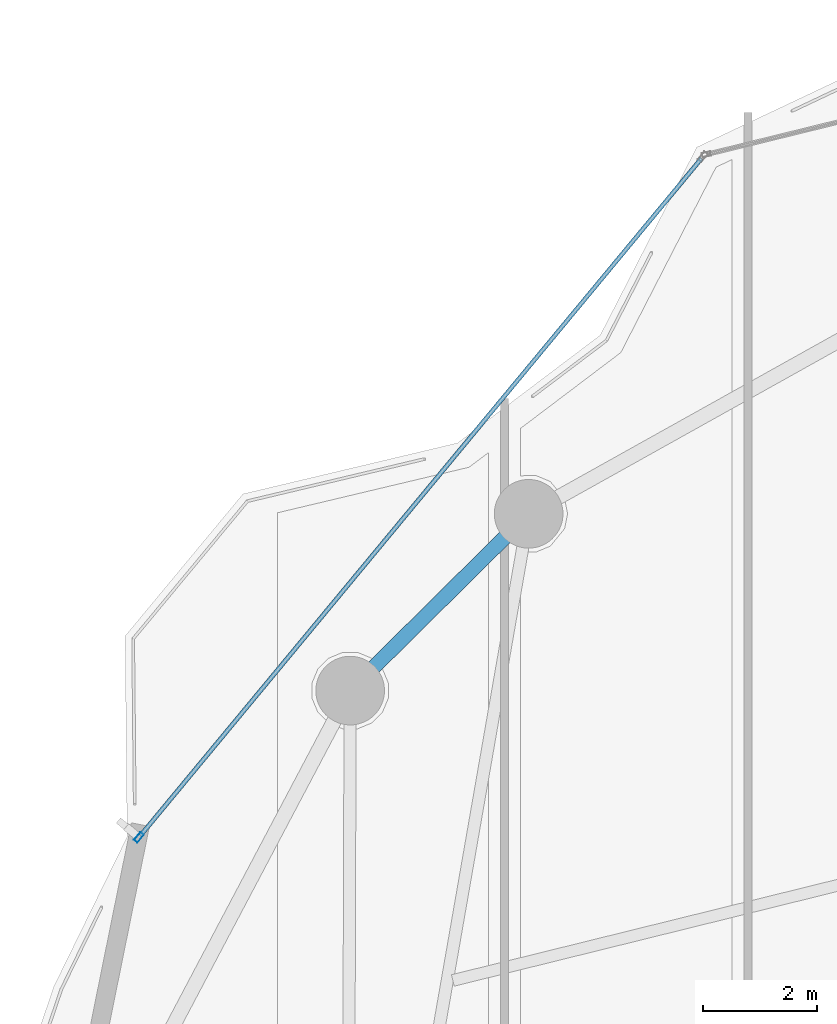
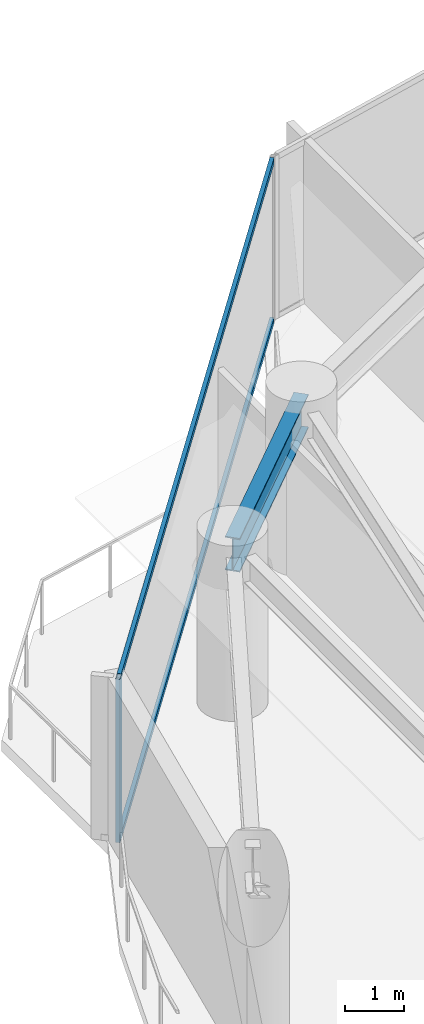
# One storey, part 16 of 28: 3 members, 1 beam, 1 element without a shape of its own.
"""IFC4 building model written with IfcOpenShell, lengths in metres."""

from ifc_helpers import new_model, si_unit, direction, frame, origin, origin_2d, place, context, subcontext, project, spatial, hollow_rectangle, i_section, extrude, material, layer, layer_set, material_profile, profile_set, type_object, element, aggregate, save


model = new_model("IFC4")

# Units and contexts
model_context = context("Model", 3, precision=1e-05, world=origin(), true_north=direction((0.0, 1.0)))
body_context = subcontext(model_context, "Body", "Model", "MODEL_VIEW")
ifc_project = project(units=[si_unit("LENGTHUNIT", "METRE"), si_unit("AREAUNIT", "SQUARE_METRE"), si_unit("VOLUMEUNIT", "CUBIC_METRE"), si_unit("PLANEANGLEUNIT", "RADIAN"), si_unit("MASSUNIT", "GRAM", prefix="KILO")], contexts=[model_context])

# Site, building, storey
site_placement = place(None, origin())
site = spatial("IfcSite", under=ifc_project, at=site_placement, CompositionType="ELEMENT")
building_placement = place(site_placement, origin())
building = spatial("IfcBuilding", under=site, at=building_placement, Name="Kazevale Care Tower and Concert Hall", CompositionType="ELEMENT")
storey_placement = place(building_placement, frame((0.0, 0.0, 102.60009765625)))
storey = spatial("IfcBuildingStorey", under=building, at=storey_placement, Name="L26", CompositionType="ELEMENT", Elevation=102.60009765625)

# Curtain wall, members
ifc_material_1 = material(Name="Aluminium 6063-T6 and Low-E Glass", Category="aluminium")
ifc_layer = layer(ifc_material_1, 0.179931640625)
ifc_layer_set = layer_set([ifc_layer], Name="Aluminium 6063-T6 and Low-E Glass")
curtain_wall_type = type_object("IfcCurtainWallType", Name="Convex Checkerboard Finned Curtain Wall CW-2", PredefinedType="NOTDEFINED", material=ifc_layer_set)
curtain_wall_placement = place(storey_placement, origin())
curtain_wall = element("IfcCurtainWall", 1, at=curtain_wall_placement, inside=storey, type_object=curtain_wall_type, Name="cw:L26:f14", PredefinedType="NOTDEFINED")
ifc_material_2 = material(Name="Aluminium 6063-T6", Category="aluminium")
ifc_material_profile_1 = material_profile(ifc_material_2, hollow_rectangle(XDim=0.080078125, YDim=0.179931640625, WallThickness=0.0048828125, at=origin_2d()), Name="ALU80x180x5")
ifc_profile_set_1 = profile_set([ifc_material_profile_1], Name="Aluminium 6063-T6")
member_type_1 = type_object("IfcMemberType", Name="CW-2 Mullion ALU80x180x5", PredefinedType="MULLION", material=ifc_profile_set_1)
member_1_placement = place(storey_placement, frame((18.357421875, 48.923828125, 0.0), z_axis=(0.0, 0.0, 1.0), x_axis=(-0.770049579196, 0.637984048061, 0.0)))
member_1 = element("IfcMember", 2, at=member_1_placement, type_object=member_type_1, Name="CW-2 mullion 1", PredefinedType="MULLION", context=body_context, shape_type="SweptSolid", body=[
    extrude(hollow_rectangle(XDim=0.080078125, YDim=0.179931640625, WallThickness=0.0048828125, at=origin_2d()), origin(), (0.0, 0.0, 1.0), 3.35986328125),
])
ifc_material_profile_2 = material_profile(ifc_material_2, hollow_rectangle(XDim=0.074951171875, YDim=0.1201171875, WallThickness=0.00390625, at=origin_2d()), Name="ALU75x120x4")
ifc_profile_set_2 = profile_set([ifc_material_profile_2], Name="Aluminium 6063-T6")
member_type_2 = type_object("IfcMemberType", Name="CW-2 Transom ALU75x120x4", PredefinedType="USERDEFINED", material=ifc_profile_set_2)
member_2_placement = place(storey_placement, frame((18.383056640625, 48.95458984375, 0.037353515625), z_axis=(0.637986649499, 0.770047423904, 0.0), x_axis=(-0.770047423904, 0.637986649499, 0.0)))
member_2 = element("IfcMember", 3, at=member_2_placement, type_object=member_type_2, Name="CW-2 transom 1.1", ObjectType="TRANSOM", PredefinedType="USERDEFINED", context=body_context, shape_type="SweptSolid", body=[
    extrude(hollow_rectangle(XDim=0.074951171875, YDim=0.1201171875, WallThickness=0.00390625, at=origin_2d()), origin(), (0.0, 0.0, 1.0), 15.3701171875),
])
member_3_placement = place(storey_placement, frame((18.383056640625, 48.95458984375, 3.322509765625), z_axis=(0.637986649499, 0.770047423904, 0.0), x_axis=(-0.770047423904, 0.637986649499, 0.0)))
member_3 = element("IfcMember", 4, at=member_3_placement, type_object=member_type_2, Name="CW-2 transom 1.2", ObjectType="TRANSOM", PredefinedType="USERDEFINED", context=body_context, shape_type="SweptSolid", body=[
    extrude(hollow_rectangle(XDim=0.074951171875, YDim=0.1201171875, WallThickness=0.00390625, at=origin_2d()), origin(), (0.0, 0.0, 1.0), 15.3701171875),
])
aggregate(curtain_wall, [member_1, member_2, member_3])

# Beam
ifc_material_3 = material(Name="Steel ASTM A572 Gr 50", Category="steel")
ifc_material_profile_3 = material_profile(ifc_material_3, i_section(OverallWidth=0.256103515625, OverallDepth=0.693115234375, WebThickness=0.014404296875, FlangeThickness=0.023681640625, at=origin_2d()), Name="W690x170")
ifc_profile_set_3 = profile_set([ifc_material_profile_3], Name="Steel ASTM A572 Gr 50")
beam_type = type_object("IfcBeamType", Name="Waist Ring Beam W690x170", PredefinedType="BEAM", material=ifc_profile_set_3)
beam_placement = place(storey_placement, frame((25.169921875, 54.580078125, 3.013427734375), z_axis=(-0.710490141585, -0.703707154085, 0.0), x_axis=(0.703707154085, -0.710490141585, 0.0)))
element("IfcBeam", 5, at=beam_placement, inside=storey, type_object=beam_type, Name="beam:L26:ring:07", PredefinedType="BEAM", context=body_context, shape_type="SweptSolid", body=[
    extrude(i_section(OverallWidth=0.256103515625, OverallDepth=0.693115234375, WebThickness=0.014404296875, FlangeThickness=0.023681640625, at=origin_2d()), origin(), (0.0, 0.0, 1.0), 4.39111328125),
])

save(model, "model.ifc")
